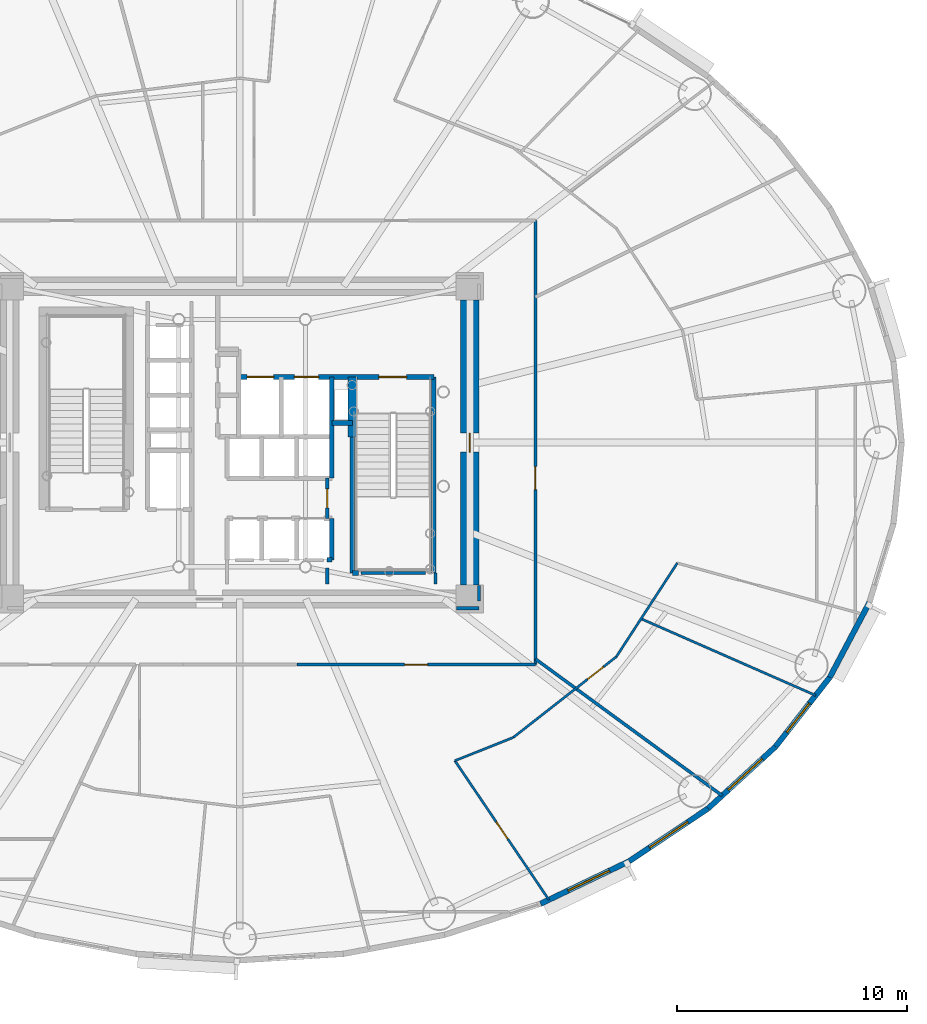
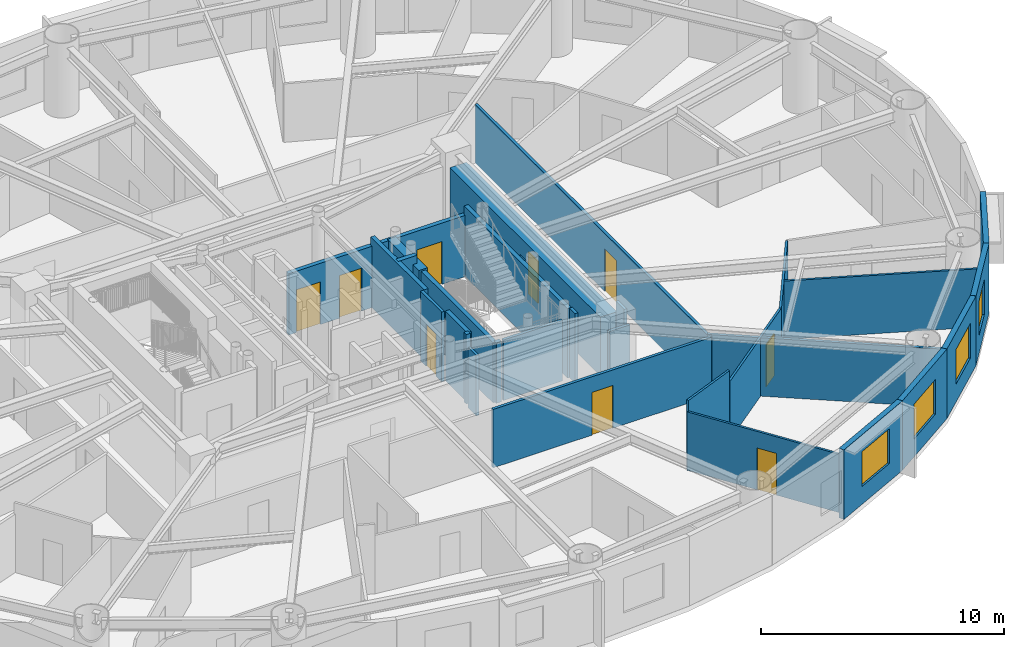
# One storey, part 9 of 16: 29 walls, 9 doors, 4 windows, 13 openings.
"""IFC4 building model written with IfcOpenShell, lengths in metres."""

from ifc_helpers import new_model, si_unit, direction, frame, frame_2d, origin, origin_2d, place, context, subcontext, project, spatial, rectangle, extrude, source, transform, mapped, material, layer, layer_set, type_object, element, fill, save


model = new_model("IFC4")

# Units and contexts
model_context = context("Model", 3, precision=1e-05, world=origin(), true_north=direction((0.0, 1.0)))
body_context = subcontext(model_context, "Body", "Model", "MODEL_VIEW")
ifc_project = project(units=[si_unit("LENGTHUNIT", "METRE"), si_unit("AREAUNIT", "SQUARE_METRE"), si_unit("VOLUMEUNIT", "CUBIC_METRE"), si_unit("PLANEANGLEUNIT", "RADIAN"), si_unit("MASSUNIT", "GRAM", prefix="KILO")], contexts=[model_context])

# Site, building, storey
site_placement = place(None, origin())
site = spatial("IfcSite", under=ifc_project, at=site_placement, CompositionType="ELEMENT")
building_placement = place(site_placement, origin())
building = spatial("IfcBuilding", under=site, at=building_placement, Name="Linh Dai School and Residence Tower", CompositionType="ELEMENT")
storey_placement = place(building_placement, frame((0.0, 0.0, 138.449951171875)))
storey = spatial("IfcBuildingStorey", under=building, at=storey_placement, Name="L33", CompositionType="ELEMENT", Elevation=138.449951171875)

# Wall, opening, window
ifc_material_1 = material(Name="Precast Concrete B45 (C35/45)", Category="concrete")
ifc_layer_1 = layer(ifc_material_1, 0.239990234375)
ifc_layer_set_1 = layer_set([ifc_layer_1], Name="Precast Concrete B45 (C35/45)")
wall_type_1 = type_object("IfcWallType", Name="EW-TC-240", PredefinedType="SOLIDWALL", material=ifc_layer_set_1)
wall_1_placement = place(storey_placement, frame((52.92529296875, 8.800537109375, 0.0), z_axis=(0.0, 0.0, 1.0), x_axis=(-0.901589935876, -0.432591709962, 0.0)))
wall_1 = element("IfcWall", 1, at=wall_1_placement, inside=storey, type_object=wall_type_1, Name="L33 Terracotta Exterior Wall 34", PredefinedType="SOLIDWALL", context=body_context, shape_type="SweptSolid", body=[
    extrude(rectangle(XDim=4.271728515625, YDim=0.239990234375, at=frame_2d((2.1357421875, 0.0))), origin(), (0.0, 0.0, 1.0), 3.5),
])
opening_1_placement = place(wall_1_placement, frame((0.94873046875, 0.0, 0.89990234375)))
opening_1 = element("IfcOpeningElement", 2, at=opening_1_placement, cuts=wall_1, Name="Opening W1", PredefinedType="OPENING", context=body_context, shape_type="SweptSolid", body=[
    extrude(rectangle(XDim=2.0, YDim=1.75, at=origin_2d()), frame((1.0, 0.1298828125, 0.875), z_axis=(0.0, -1.0, 0.0), x_axis=(1.0, 0.0, 0.0)), (0.0, 0.0, 1.0), 0.260009765625),
])
ifc_material_2 = material(Name="Double Low-E Insulated Glazing", Category="glass")
window_type_1 = type_object("IfcWindowType", Name="WN-RES-2000x1750", PartitioningType="DOUBLE_PANEL_VERTICAL", PredefinedType="WINDOW", material=ifc_material_2)
shared_shape_1 = source(origin(), body_context, "Body", "SweptSolid", [
    extrude(rectangle(XDim=2.0, YDim=1.75, at=origin_2d()), frame((1.0, 0.030029296875, 0.875), z_axis=(0.0, -1.0, 0.0), x_axis=(1.0, 0.0, 0.0)), (0.0, 0.0, 1.0), 0.06005859375),
])
window_1_placement = place(opening_1_placement, origin())
window_1 = element("IfcWindow", 3, at=window_1_placement, inside=storey, type_object=window_type_1, Name="L33 Exterior Window 34.1", OverallHeight=1.75, OverallWidth=2.0, PartitioningType="DOUBLE_PANEL_VERTICAL", PredefinedType="WINDOW", context=body_context, shape_type="MappedRepresentation", body=[
    mapped(shared_shape_1, transform((0.0, 0.0, 0.0), x_axis=(1.0, 0.0, 0.0), y_axis=(0.0, 1.0, 0.0), z_axis=(0.0, 0.0, 1.0), scale=1.0)),
])
fill(opening_1, window_1)

wall_2_placement = place(storey_placement, frame((56.3583984375, 11.0966796875, 0.0), z_axis=(0.0, 0.0, 1.0), x_axis=(-0.831221811447, -0.555940914284, 0.0)))
wall_2 = element("IfcWall", 4, at=wall_2_placement, inside=storey, type_object=wall_type_1, Name="L33 Terracotta Exterior Wall 35", PredefinedType="SOLIDWALL", context=body_context, shape_type="SweptSolid", body=[
    extrude(rectangle(XDim=4.130126953125, YDim=0.239990234375, at=frame_2d((2.06494140625, 0.0))), origin(), (0.0, 0.0, 1.0), 3.5),
])
opening_2_placement = place(wall_2_placement, frame((1.065185546875, 0.0, 0.89990234375)))
opening_2 = element("IfcOpeningElement", 5, at=opening_2_placement, cuts=wall_2, Name="Opening W1", PredefinedType="OPENING", context=body_context, shape_type="SweptSolid", body=[
    extrude(rectangle(XDim=2.0, YDim=1.75, at=origin_2d()), frame((1.0, 0.1298828125, 0.875), z_axis=(0.0, -1.0, 0.0), x_axis=(1.0, 0.0, 0.0)), (0.0, 0.0, 1.0), 0.260009765625),
])
window_2_placement = place(opening_2_placement, origin())
window_2 = element("IfcWindow", 6, at=window_2_placement, inside=storey, type_object=window_type_1, Name="L33 Exterior Window 35.1", OverallHeight=1.75, OverallWidth=2.0, PartitioningType="DOUBLE_PANEL_VERTICAL", PredefinedType="WINDOW", context=body_context, shape_type="MappedRepresentation", body=[
    mapped(shared_shape_1, transform((0.0, 0.0, 0.0), x_axis=(1.0, 0.0, 0.0), y_axis=(0.0, 1.0, 0.0), z_axis=(0.0, 0.0, 1.0), scale=1.0)),
])
fill(opening_2, window_2)

wall_3_placement = place(storey_placement, frame((59.2890625, 13.783447265625, 0.0), z_axis=(0.0, 0.0, 1.0), x_axis=(-0.737113356241, -0.675769117414, 0.0)))
wall_3 = element("IfcWall", 7, at=wall_3_placement, inside=storey, type_object=wall_type_1, Name="L33 Terracotta Exterior Wall 36", PredefinedType="SOLIDWALL", context=body_context, shape_type="SweptSolid", body=[
    extrude(rectangle(XDim=3.975830078125, YDim=0.239990234375, at=frame_2d((1.98779296875, 0.0))), origin(), (0.0, 0.0, 1.0), 3.5),
])
opening_3_placement = place(wall_3_placement, frame((0.78271484375, 0.0, 0.89990234375)))
opening_3 = element("IfcOpeningElement", 8, at=opening_3_placement, cuts=wall_3, Name="Opening W1", PredefinedType="OPENING", context=body_context, shape_type="SweptSolid", body=[
    extrude(rectangle(XDim=2.0, YDim=1.75, at=origin_2d()), frame((1.0, 0.1298828125, 0.875), z_axis=(0.0, -1.0, 0.0), x_axis=(1.0, 0.0, 0.0)), (0.0, 0.0, 1.0), 0.260009765625),
])
window_3_placement = place(opening_3_placement, origin())
window_3 = element("IfcWindow", 9, at=window_3_placement, inside=storey, type_object=window_type_1, Name="L33 Exterior Window 36.1", OverallHeight=1.75, OverallWidth=2.0, PartitioningType="DOUBLE_PANEL_VERTICAL", PredefinedType="WINDOW", context=body_context, shape_type="MappedRepresentation", body=[
    mapped(shared_shape_1, transform((0.0, 0.0, 0.0), x_axis=(1.0, 0.0, 0.0), y_axis=(0.0, 1.0, 0.0), z_axis=(0.0, 0.0, 1.0), scale=1.0)),
])
fill(opening_3, window_3)

wall_4_placement = place(storey_placement, frame((61.645263671875, 16.79443359375, 0.0), z_axis=(0.0, 0.0, 1.0), x_axis=(-0.616272103517, -0.787533297345, 0.0)))
wall_4 = element("IfcWall", 10, at=wall_4_placement, inside=storey, type_object=wall_type_1, Name="L33 Terracotta Exterior Wall 37", PredefinedType="SOLIDWALL", context=body_context, shape_type="SweptSolid", body=[
    extrude(rectangle(XDim=3.8232421875, YDim=0.239990234375, at=frame_2d((1.91162109375, 0.0))), origin(), (0.0, 0.0, 1.0), 3.5),
])
opening_4_placement = place(wall_4_placement, frame((1.430419921875, 0.0, 0.89990234375)))
opening_4 = element("IfcOpeningElement", 11, at=opening_4_placement, cuts=wall_4, Name="Opening W2", PredefinedType="OPENING", context=body_context, shape_type="SweptSolid", body=[
    extrude(rectangle(XDim=1.60009765625, YDim=1.75, at=origin_2d()), frame((0.800048828125, 0.1298828125, 0.875), z_axis=(0.0, -1.0, 0.0), x_axis=(1.0, 0.0, 0.0)), (0.0, 0.0, 1.0), 0.260009765625),
])
window_type_2 = type_object("IfcWindowType", Name="WN-RES-1600x1750", PartitioningType="DOUBLE_PANEL_VERTICAL", PredefinedType="WINDOW", material=ifc_material_2)
shared_shape_2 = source(origin(), body_context, "Body", "SweptSolid", [
    extrude(rectangle(XDim=1.60009765625, YDim=1.75, at=origin_2d()), frame((0.800048828125, 0.030029296875, 0.875), z_axis=(0.0, -1.0, 0.0), x_axis=(1.0, 0.0, 0.0)), (0.0, 0.0, 1.0), 0.06005859375),
])
window_4_placement = place(opening_4_placement, origin())
window_4 = element("IfcWindow", 12, at=window_4_placement, inside=storey, type_object=window_type_2, Name="L33 Exterior Window 37.1", OverallHeight=1.75, OverallWidth=1.60009765625, PartitioningType="DOUBLE_PANEL_VERTICAL", PredefinedType="WINDOW", context=body_context, shape_type="MappedRepresentation", body=[
    mapped(shared_shape_2, transform((0.0, 0.0, 0.0), x_axis=(1.0, 0.0, 0.0), y_axis=(0.0, 1.0, 0.0), z_axis=(0.0, 0.0, 1.0), scale=1.0)),
])
fill(opening_4, window_4)

# Wall
wall_5_placement = place(storey_placement, frame((63.3701171875, 20.054931640625, 0.0), z_axis=(0.0, 0.0, 1.0), x_axis=(-0.467614004126, -0.883932770716, 0.0)))
element("IfcWall", 13, at=wall_5_placement, inside=storey, type_object=wall_type_1, Name="L33 Terracotta Exterior Wall 38", PredefinedType="SOLIDWALL", context=body_context, shape_type="SweptSolid", body=[
    extrude(rectangle(XDim=3.688720703125, YDim=0.239990234375, at=frame_2d((1.84423828125, 0.0))), origin(), (0.0, 0.0, 1.0), 3.5),
])

# Wall, opening, door
ifc_material_3 = material(Name="Autoclaved Aerated Concrete Blockwork", Category="masonry")
ifc_layer_2 = layer(ifc_material_3, 0.135009765625)
ifc_layer_set_2 = layer_set([ifc_layer_2], Name="Autoclaved Aerated Concrete Blockwork")
wall_type_2 = type_object("IfcWallType", Name="IW-CORR-135-EI90", PredefinedType="PARTITIONING", material=ifc_layer_set_2)
wall_6_placement = place(storey_placement, frame((38.47705078125, 17.35009765625, 0.0), z_axis=(0.0, 0.0, 1.0), x_axis=(1.0, 0.0, 0.0)))
wall_6 = element("IfcWall", 14, at=wall_6_placement, inside=storey, type_object=wall_type_2, Name="L33 Interior Partition Wall 057", PredefinedType="PARTITIONING", context=body_context, shape_type="SweptSolid", body=[
    extrude(rectangle(XDim=10.373046875, YDim=0.135009765625, at=frame_2d((5.1865234375, 0.0))), origin(), (0.0, 0.0, 1.0), 2.93505859375),
])
opening_5_placement = place(wall_6_placement, frame((4.6865234375, 0.0, 0.0)))
opening_5 = element("IfcOpeningElement", 15, at=opening_5_placement, cuts=wall_6, Name="Opening D03", PredefinedType="OPENING", context=body_context, shape_type="SweptSolid", body=[
    extrude(rectangle(XDim=1.0, YDim=2.14990234375, at=origin_2d()), frame((0.5, 0.07763671875, 1.074951171875), z_axis=(0.0, -1.0, 0.0), x_axis=(1.0, 0.0, 0.0)), (0.0, 0.0, 1.0), 0.155029296875),
])
ifc_material_4 = material(Name="Fire-Rated Solid Timber Entrance Door", Category="wood")
door_type_1 = type_object("IfcDoorType", Name="DR-FLAT-1000x2150-FD60S", OperationType="NOTDEFINED", PredefinedType="DOOR", material=ifc_material_4)
shared_shape_3 = source(origin(), body_context, "Body", "SweptSolid", [
    extrude(rectangle(XDim=1.0, YDim=2.14990234375, at=origin_2d()), frame((0.5, 0.02490234375, 1.074951171875), z_axis=(0.0, -1.0, 0.0), x_axis=(1.0, 0.0, 0.0)), (0.0, 0.0, 1.0), 0.050048828125),
])
door_1_placement = place(opening_5_placement, origin())
door_1 = element("IfcDoor", 16, at=door_1_placement, inside=storey, type_object=door_type_1, Name="L33 U3302 Apartment Entrance Door", OperationType="SINGLE_SWING_RIGHT", OverallHeight=2.14990234375, OverallWidth=1.0, PredefinedType="DOOR", context=body_context, shape_type="MappedRepresentation", body=[
    mapped(shared_shape_3, transform((0.0, 0.0, 0.0), x_axis=(1.0, 0.0, 0.0), y_axis=(0.0, 1.0, 0.0), z_axis=(0.0, 0.0, 1.0), scale=1.0)),
])
fill(opening_5, door_1)

wall_7_placement = place(storey_placement, frame((39.800048828125, 23.699951171875, 0.0), z_axis=(0.0, 0.0, 1.0), x_axis=(0.0, 1.0, 0.0)))
wall_7 = element("IfcWall", 17, at=wall_7_placement, inside=storey, type_object=wall_type_2, Name="L33 Interior Partition Wall 061", PredefinedType="PARTITIONING", context=body_context, shape_type="SweptSolid", body=[
    extrude(rectangle(XDim=1.75, YDim=0.135009765625, at=frame_2d((0.875, 0.0))), origin(), (0.0, 0.0, 1.0), 3.5),
])
opening_6_placement = place(wall_7_placement, frame((0.465087890625, 0.0, 0.0)))
opening_6 = element("IfcOpeningElement", 18, at=opening_6_placement, cuts=wall_7, Name="Opening D06", PredefinedType="OPENING", context=body_context, shape_type="SweptSolid", body=[
    extrude(rectangle(XDim=0.820068359375, YDim=2.10009765625, at=origin_2d()), frame((0.41015625, 0.07763671875, 1.050048828125), z_axis=(0.0, -1.0, 0.0), x_axis=(1.0, 0.0, 0.0)), (0.0, 0.0, 1.0), 0.155029296875),
])
ifc_material_5 = material(Name="Moisture-Resistant Timber Bathroom Door", Category="wood")
door_type_2 = type_object("IfcDoorType", Name="DR-WET-820x2100", OperationType="NOTDEFINED", PredefinedType="DOOR", material=ifc_material_5)
shared_shape_4 = source(origin(), body_context, "Body", "SweptSolid", [
    extrude(rectangle(XDim=0.820068359375, YDim=2.10009765625, at=origin_2d()), frame((0.41015625, 0.02490234375, 1.050048828125), z_axis=(0.0, -1.0, 0.0), x_axis=(1.0, 0.0, 0.0)), (0.0, 0.0, 1.0), 0.050048828125),
])
door_2_placement = place(opening_6_placement, origin())
door_2 = element("IfcDoor", 19, at=door_2_placement, inside=storey, type_object=door_type_2, Name="L33 Core Housekeeping Store Door", OperationType="SINGLE_SWING_RIGHT", OverallHeight=2.10009765625, OverallWidth=0.820068359375, PredefinedType="DOOR", context=body_context, shape_type="MappedRepresentation", body=[
    mapped(shared_shape_4, transform((0.0, 0.0, 0.0), x_axis=(1.0, 0.0, 0.0), y_axis=(0.0, 1.0, 0.0), z_axis=(0.0, 0.0, 1.0), scale=1.0)),
])
fill(opening_6, door_2)

wall_8_placement = place(storey_placement, frame((48.85009765625, 17.35009765625, 0.0), z_axis=(0.0, 0.0, 1.0), x_axis=(0.0, 1.0, 0.0)))
wall_8 = element("IfcWall", 20, at=wall_8_placement, inside=storey, type_object=wall_type_2, Name="L33 Interior Partition Wall 077", PredefinedType="PARTITIONING", context=body_context, shape_type="SweptSolid", body=[
    extrude(rectangle(XDim=19.2998046875, YDim=0.135009765625, at=frame_2d((9.64990234375, 0.0))), origin(), (0.0, 0.0, 1.0), 2.93505859375),
])
opening_7_placement = place(wall_8_placement, frame((7.609130859375, 0.0, 0.0)))
opening_7 = element("IfcOpeningElement", 21, at=opening_7_placement, cuts=wall_8, Name="Opening D03", PredefinedType="OPENING", context=body_context, shape_type="SweptSolid", body=[
    extrude(rectangle(XDim=1.0, YDim=2.14990234375, at=origin_2d()), frame((0.5, 0.07763671875, 1.074951171875), z_axis=(0.0, -1.0, 0.0), x_axis=(1.0, 0.0, 0.0)), (0.0, 0.0, 1.0), 0.155029296875),
])
door_3_placement = place(opening_7_placement, origin())
door_3 = element("IfcDoor", 22, at=door_3_placement, inside=storey, type_object=door_type_1, Name="L33 U3303 Apartment Entrance Door", OperationType="SINGLE_SWING_RIGHT", OverallHeight=2.14990234375, OverallWidth=1.0, PredefinedType="DOOR", context=body_context, shape_type="MappedRepresentation", body=[
    mapped(shared_shape_3, transform((0.0, 0.0, 0.0), x_axis=(1.0, 0.0, 0.0), y_axis=(0.0, 1.0, 0.0), z_axis=(0.0, 0.0, 1.0), scale=1.0)),
])
fill(opening_7, door_3)

# Walls
wall_9_placement = place(storey_placement, frame((48.85009765625, 17.59521484375, 0.0), z_axis=(0.0, 0.0, 1.0), x_axis=(0.806958414, -0.590608261096, 0.0)))
element("IfcWall", 23, at=wall_9_placement, inside=storey, type_object=wall_type_2, Name="L33 Interior Partition Wall 078", PredefinedType="PARTITIONING", context=body_context, shape_type="SweptSolid", body=[
    extrude(rectangle(XDim=10.0634765625, YDim=0.135009765625, at=frame_2d((5.03173828125, 0.0))), origin(), (0.0, 0.0, 1.0), 2.93505859375),
])
wall_10_placement = place(storey_placement, frame((44.080078125, 21.330078125, 0.0), z_axis=(0.0, 0.0, 1.0), x_axis=(-1.0, 0.0, 0.0)))
element("IfcWall", 24, at=wall_10_placement, inside=storey, type_object=wall_type_2, Name="L33 Interior Partition Wall 090", PredefinedType="PARTITIONING", context=body_context, shape_type="SweptSolid", body=[
    extrude(rectangle(XDim=2.820068359375, YDim=0.135009765625, at=frame_2d((1.41015625, 0.0))), origin(), (0.0, 0.0, 1.0), 3.03515625),
])
wall_11_placement = place(storey_placement, frame((39.800048828125, 20.860107421875, 0.0), z_axis=(0.0, 0.0, 1.0), x_axis=(0.0, 1.0, 0.0)))
element("IfcWall", 25, at=wall_11_placement, inside=storey, type_object=wall_type_2, Name="L33 Interior Partition Wall 095", PredefinedType="PARTITIONING", context=body_context, shape_type="SweptSolid", body=[
    extrude(rectangle(XDim=0.679931640625, YDim=0.135009765625, at=frame_2d((0.33984375, 0.0))), origin(), (0.0, 0.0, 1.0), 3.03515625),
])
wall_12_placement = place(storey_placement, frame((44.5, 20.860107421875, 0.0), z_axis=(0.0, 0.0, 1.0), x_axis=(0.0, 1.0, 0.0)))
element("IfcWall", 26, at=wall_12_placement, inside=storey, type_object=wall_type_2, Name="L33 Interior Partition Wall 097", PredefinedType="PARTITIONING", context=body_context, shape_type="SweptSolid", body=[
    extrude(rectangle(XDim=0.4599609375, YDim=0.135009765625, at=frame_2d((0.22998046875, 0.0))), origin(), (0.0, 0.0, 1.0), 3.5),
])
wall_13_placement = place(storey_placement, frame((45.409912109375, 19.800048828125, 0.0), z_axis=(0.0, 0.0, 1.0), x_axis=(1.0, 0.0, 0.0)))
element("IfcWall", 27, at=wall_13_placement, inside=storey, type_object=wall_type_2, Name="L33 Interior Partition Wall 107", PredefinedType="PARTITIONING", context=body_context, shape_type="SweptSolid", body=[
    extrude(rectangle(XDim=0.989990234375, YDim=0.135009765625, at=frame_2d((0.4951171875, 0.0))), origin(), (0.0, 0.0, 1.0), 2.93505859375),
])
wall_14_placement = place(storey_placement, frame((46.39990234375, 20.107421875, 0.0), z_axis=(0.0, 0.0, 1.0), x_axis=(0.0, 1.0, 0.0)))
element("IfcWall", 28, at=wall_14_placement, inside=storey, type_object=wall_type_2, Name="L33 Interior Partition Wall 108", PredefinedType="PARTITIONING", context=body_context, shape_type="SweptSolid", body=[
    extrude(rectangle(XDim=0.6826171875, YDim=0.135009765625, at=frame_2d((0.34130859375, 0.0))), origin(), (0.0, 0.0, 1.0), 3.5),
])

# Wall, openings, doors
ifc_material_6 = material(Name="Concrete B45 (C35/45)", Category="concrete")
ifc_layer_3 = layer(ifc_material_6, 0.199951171875)
ifc_layer_set_3 = layer_set([ifc_layer_3], Name="Concrete B45 (C35/45)")
wall_type_3 = type_object("IfcWallType", Name="IW-SHAFT-200-EI120", PredefinedType="PARTITIONING", material=ifc_layer_set_3)
wall_15_placement = place(storey_placement, frame((35.949951171875, 29.85009765625, 0.0), z_axis=(0.0, 0.0, 1.0), x_axis=(1.0, 0.0, 0.0)))
wall_15 = element("IfcWall", 29, at=wall_15_placement, inside=storey, type_object=wall_type_3, Name="L33 Interior Partition Wall 048", PredefinedType="PARTITIONING", context=body_context, shape_type="SweptSolid", body=[
    extrude(rectangle(XDim=8.489990234375, YDim=0.199951171875, at=frame_2d((4.2451171875, 0.0))), origin(), (0.0, 0.0, 1.0), 3.0849609375),
])
opening_8_placement = place(wall_15_placement, frame((6.10009765625, 0.0, 0.0)))
opening_8 = element("IfcOpeningElement", 30, at=opening_8_placement, cuts=wall_15, Name="Opening D01", PredefinedType="OPENING", context=body_context, shape_type="SweptSolid", body=[
    extrude(rectangle(XDim=1.199951171875, YDim=2.14990234375, at=origin_2d()), frame((0.60009765625, 0.10986328125, 1.074951171875), z_axis=(0.0, -1.0, 0.0), x_axis=(1.0, 0.0, 0.0)), (0.0, 0.0, 1.0), 0.219970703125),
])
opening_9_placement = place(wall_15_placement, frame((0.3701171875, 0.0, 0.0)))
opening_9 = element("IfcOpeningElement", 31, at=opening_9_placement, cuts=wall_15, Name="Opening LD-FF1", PredefinedType="OPENING", context=body_context, shape_type="SweptSolid", body=[
    extrude(rectangle(XDim=1.14990234375, YDim=2.14990234375, at=origin_2d()), frame((0.574951171875, 0.10986328125, 1.074951171875), z_axis=(0.0, -1.0, 0.0), x_axis=(1.0, 0.0, 0.0)), (0.0, 0.0, 1.0), 0.219970703125),
])
opening_10_placement = place(wall_15_placement, frame((2.425048828125, 0.0, 0.0)))
opening_10 = element("IfcOpeningElement", 32, at=opening_10_placement, cuts=wall_15, Name="Opening LD-SV1", PredefinedType="OPENING", context=body_context, shape_type="SweptSolid", body=[
    extrude(rectangle(XDim=1.050048828125, YDim=2.14990234375, at=origin_2d()), frame((0.52490234375, 0.10986328125, 1.074951171875), z_axis=(0.0, -1.0, 0.0), x_axis=(1.0, 0.0, 0.0)), (0.0, 0.0, 1.0), 0.219970703125),
])
ifc_material_7 = material(Name="Fire-Rated Steel Door Leaf", Category="steel")
door_type_3 = type_object("IfcDoorType", Name="DR-STAIR-1200x2150-FD90S", OperationType="NOTDEFINED", PredefinedType="DOOR", material=ifc_material_7)
shared_shape_5 = source(origin(), body_context, "Body", "SweptSolid", [
    extrude(rectangle(XDim=1.199951171875, YDim=2.14990234375, at=origin_2d()), frame((0.60009765625, 0.02490234375, 1.074951171875), z_axis=(0.0, -1.0, 0.0), x_axis=(1.0, 0.0, 0.0)), (0.0, 0.0, 1.0), 0.050048828125),
])
door_4_placement = place(opening_8_placement, origin())
door_4 = element("IfcDoor", 33, at=door_4_placement, inside=storey, type_object=door_type_3, Name="L33 Core Smokeproof Exit Stair ST2 Door", OperationType="SINGLE_SWING_RIGHT", OverallHeight=2.14990234375, OverallWidth=1.199951171875, PredefinedType="DOOR", context=body_context, shape_type="MappedRepresentation", body=[
    mapped(shared_shape_5, transform((0.0, 0.0, 0.0), x_axis=(1.0, 0.0, 0.0), y_axis=(0.0, 1.0, 0.0), z_axis=(0.0, 0.0, 1.0), scale=1.0)),
])
fill(opening_8, door_4)
ifc_material_8 = material(Name="Fire-Rated Stainless Steel Firefighting Lift Door", Category="steel")
door_type_4 = type_object("IfcDoorType", Name="DR-LD-FF-1150x2150-FD120", OperationType="DOUBLE_DOOR_SLIDING", PredefinedType="USERDEFINED", material=ifc_material_8)
shared_shape_6 = source(origin(), body_context, "Body", "SweptSolid", [
    extrude(rectangle(XDim=1.14990234375, YDim=2.14990234375, at=origin_2d()), frame((0.574951171875, 0.02490234375, 1.074951171875), z_axis=(0.0, -1.0, 0.0), x_axis=(1.0, 0.0, 0.0)), (0.0, 0.0, 1.0), 0.050048828125),
])
door_5_placement = place(opening_9_placement, origin())
door_5 = element("IfcDoor", 34, at=door_5_placement, inside=storey, type_object=door_type_4, Name="L33 Lift FF1 Sliding Landing Door", ObjectType="LANDING DOOR", OperationType="DOUBLE_DOOR_SLIDING", OverallHeight=2.14990234375, OverallWidth=1.14990234375, PredefinedType="USERDEFINED", context=body_context, shape_type="MappedRepresentation", body=[
    mapped(shared_shape_6, transform((0.0, 0.0, 0.0), x_axis=(1.0, 0.0, 0.0), y_axis=(0.0, 1.0, 0.0), z_axis=(0.0, 0.0, 1.0), scale=1.0)),
])
fill(opening_9, door_5)
ifc_material_9 = material(Name="Brushed Stainless Steel Lift Landing Door", Category="steel")
door_type_5 = type_object("IfcDoorType", Name="DR-LD-PASS-1050x2150", OperationType="DOUBLE_DOOR_SLIDING", PredefinedType="USERDEFINED", material=ifc_material_9)
shared_shape_7 = source(origin(), body_context, "Body", "SweptSolid", [
    extrude(rectangle(XDim=1.050048828125, YDim=2.14990234375, at=origin_2d()), frame((0.52490234375, 0.02490234375, 1.074951171875), z_axis=(0.0, -1.0, 0.0), x_axis=(1.0, 0.0, 0.0)), (0.0, 0.0, 1.0), 0.050048828125),
])
door_6_placement = place(opening_10_placement, origin())
door_6 = element("IfcDoor", 35, at=door_6_placement, inside=storey, type_object=door_type_5, Name="L33 Lift SV1 Sliding Landing Door", ObjectType="LANDING DOOR", OperationType="DOUBLE_DOOR_SLIDING", OverallHeight=2.14990234375, OverallWidth=1.050048828125, PredefinedType="USERDEFINED", context=body_context, shape_type="MappedRepresentation", body=[
    mapped(shared_shape_7, transform((0.0, 0.0, 0.0), x_axis=(1.0, 0.0, 0.0), y_axis=(0.0, 1.0, 0.0), z_axis=(0.0, 0.0, 1.0), scale=1.0)),
])
fill(opening_10, door_6)

# Walls
wall_16_placement = place(storey_placement, frame((39.800048828125, 21.89990234375, 0.0), z_axis=(0.0, 0.0, 1.0), x_axis=(1.0, 0.0, 0.0)))
element("IfcWall", 36, at=wall_16_placement, inside=storey, type_object=wall_type_3, Name="L33 Interior Partition Wall 060", PredefinedType="PARTITIONING", context=body_context, shape_type="SweptSolid", body=[
    extrude(rectangle(XDim=0.199951171875, YDim=0.199951171875, at=frame_2d((0.10009765625, 0.0))), origin(), (0.0, 0.0, 1.0), 3.5),
])
wall_17_placement = place(storey_placement, frame((40.0, 21.89990234375, 0.0), z_axis=(0.0, 0.0, 1.0), x_axis=(0.0, 1.0, 0.0)))
element("IfcWall", 37, at=wall_17_placement, inside=storey, type_object=wall_type_3, Name="L33 Interior Partition Wall 063", PredefinedType="PARTITIONING", context=body_context, shape_type="SweptSolid", body=[
    extrude(rectangle(XDim=1.800048828125, YDim=0.199951171875, at=frame_2d((0.89990234375, 0.0))), origin(), (0.0, 0.0, 1.0), 3.5),
])
wall_18_placement = place(storey_placement, frame((40.0, 25.449951171875, 0.0), z_axis=(0.0, 0.0, 1.0), x_axis=(0.0, 1.0, 0.0)))
element("IfcWall", 38, at=wall_18_placement, inside=storey, type_object=wall_type_3, Name="L33 Interior Partition Wall 064", PredefinedType="PARTITIONING", context=body_context, shape_type="SweptSolid", body=[
    extrude(rectangle(XDim=4.400146484375, YDim=0.199951171875, at=frame_2d((2.2001953125, 0.0))), origin(), (0.0, 0.0, 1.0), 3.5),
])
wall_19_placement = place(storey_placement, frame((40.0, 27.85009765625, 0.0), z_axis=(0.0, 0.0, 1.0), x_axis=(1.0, 0.0, 0.0)))
element("IfcWall", 39, at=wall_19_placement, inside=storey, type_object=wall_type_3, Name="L33 Interior Partition Wall 065", PredefinedType="PARTITIONING", context=body_context, shape_type="SweptSolid", body=[
    extrude(rectangle(XDim=0.89990234375, YDim=0.199951171875, at=frame_2d((0.449951171875, 0.0))), origin(), (0.0, 0.0, 1.0), 3.5),
])
wall_20_placement = place(storey_placement, frame((40.89990234375, 21.330078125, 0.0), z_axis=(0.0, 0.0, 1.0), x_axis=(0.0, 1.0, 0.0)))
element("IfcWall", 40, at=wall_20_placement, inside=storey, type_object=wall_type_3, Name="L33 Interior Partition Wall 066", PredefinedType="PARTITIONING", context=body_context, shape_type="SweptSolid", body=[
    extrude(rectangle(XDim=5.909912109375, YDim=0.199951171875, at=frame_2d((2.955078125, 0.0))), origin(), (0.0, 0.0, 1.0), 3.03515625),
])
wall_21_placement = place(storey_placement, frame((40.89990234375, 21.330078125, 0.0), z_axis=(0.0, 0.0, 1.0), x_axis=(1.0, 0.0, 0.0)))
element("IfcWall", 41, at=wall_21_placement, inside=storey, type_object=wall_type_3, Name="L33 Interior Partition Wall 067", PredefinedType="PARTITIONING", context=body_context, shape_type="SweptSolid", body=[
    extrude(rectangle(XDim=0.25, YDim=0.199951171875, at=frame_2d((0.125, 0.0))), origin(), (0.0, 0.0, 1.0), 3.03515625),
])
wall_22_placement = place(storey_placement, frame((44.43994140625, 21.330078125, 0.0), z_axis=(0.0, 0.0, 1.0), x_axis=(0.0, 1.0, 0.0)))
element("IfcWall", 42, at=wall_22_placement, inside=storey, type_object=wall_type_3, Name="L33 Interior Partition Wall 071", PredefinedType="PARTITIONING", context=body_context, shape_type="SweptSolid", body=[
    extrude(rectangle(XDim=8.52001953125, YDim=0.199951171875, at=frame_2d((4.260009765625, 0.0))), origin(), (0.0, 0.0, 1.0), 3.5),
])
ifc_material_10 = material(Name="Gypsum Plasterboard Acoustic Stud Partition", Category="masonry")
ifc_layer_4 = layer(ifc_material_10, 0.10009765625)
ifc_layer_set_4 = layer_set([ifc_layer_4], Name="Gypsum Plasterboard Acoustic Stud Partition")
wall_type_4 = type_object("IfcWallType", Name="IW-UNIT-100", PredefinedType="PARTITIONING", material=ifc_layer_set_4)
wall_23_placement = place(storey_placement, frame((45.349609375, 13.17041015625, 0.0), z_axis=(0.0, 0.0, 1.0), x_axis=(0.928802486491, 0.370575149044, 0.0)))
element("IfcWall", 43, at=wall_23_placement, inside=storey, type_object=wall_type_4, Name="L33 Interior Partition Wall 072", PredefinedType="PARTITIONING", context=body_context, shape_type="SweptSolid", body=[
    extrude(rectangle(XDim=2.736083984375, YDim=0.10009765625, at=frame_2d((1.3681640625, 0.0))), origin(), (0.0, 0.0, 1.0), 3.5),
])

# Wall, opening, door
wall_24_placement = place(storey_placement, frame((45.349609375, 13.17041015625, 0.0), z_axis=(0.0, 0.0, 1.0), x_axis=(0.560082631059, -0.828436748573, 0.0)))
wall_24 = element("IfcWall", 44, at=wall_24_placement, inside=storey, type_object=wall_type_4, Name="L33 Interior Partition Wall 073", PredefinedType="PARTITIONING", context=body_context, shape_type="SweptSolid", body=[
    extrude(rectangle(XDim=7.301025390625, YDim=0.10009765625, at=frame_2d((3.650390625, 0.0))), origin(), (0.0, 0.0, 1.0), 2.93505859375),
])
opening_11_placement = place(wall_24_placement, frame((3.200439453125, 0.0, 0.0)))
opening_11 = element("IfcOpeningElement", 45, at=opening_11_placement, cuts=wall_24, Name="Opening D05", PredefinedType="OPENING", context=body_context, shape_type="SweptSolid", body=[
    extrude(rectangle(XDim=0.89990234375, YDim=2.10009765625, at=origin_2d()), frame((0.449951171875, 0.06005859375, 1.050048828125), z_axis=(0.0, -1.0, 0.0), x_axis=(1.0, 0.0, 0.0)), (0.0, 0.0, 1.0), 0.1201171875),
])
ifc_material_11 = material(Name="Engineered Timber Internal Door", Category="wood")
door_type_6 = type_object("IfcDoorType", Name="DR-INT-900x2100", OperationType="NOTDEFINED", PredefinedType="DOOR", material=ifc_material_11)
shared_shape_8 = source(origin(), body_context, "Body", "SweptSolid", [
    extrude(rectangle(XDim=0.89990234375, YDim=2.10009765625, at=origin_2d()), frame((0.449951171875, 0.02490234375, 1.050048828125), z_axis=(0.0, -1.0, 0.0), x_axis=(1.0, 0.0, 0.0)), (0.0, 0.0, 1.0), 0.050048828125),
])
door_7_placement = place(opening_11_placement, origin())
door_7 = element("IfcDoor", 46, at=door_7_placement, inside=storey, type_object=door_type_6, Name="L33 Apartment U3302 Principal Bedroom 3 Door", OperationType="SINGLE_SWING_LEFT", OverallHeight=2.10009765625, OverallWidth=0.89990234375, PredefinedType="DOOR", context=body_context, shape_type="MappedRepresentation", body=[
    mapped(shared_shape_8, transform((0.0, 0.0, 0.0), x_axis=(1.0, 0.0, 0.0), y_axis=(0.0, 1.0, 0.0), z_axis=(0.0, 0.0, 1.0), scale=1.0)),
])
fill(opening_11, door_7)

wall_25_placement = place(storey_placement, frame((47.890869140625, 14.184326171875, 0.0), z_axis=(0.0, 0.0, 1.0), x_axis=(0.787333679705, 0.616527109544, 0.0)))
wall_25 = element("IfcWall", 47, at=wall_25_placement, inside=storey, type_object=wall_type_4, Name="L33 Interior Partition Wall 074", PredefinedType="PARTITIONING", context=body_context, shape_type="SweptSolid", body=[
    extrude(rectangle(XDim=5.6845703125, YDim=0.10009765625, at=frame_2d((2.84228515625, 0.0))), origin(), (0.0, 0.0, 1.0), 2.93505859375),
])
opening_12_placement = place(wall_25_placement, frame((4.09619140625, 0.0, 0.0)))
opening_12 = element("IfcOpeningElement", 48, at=opening_12_placement, cuts=wall_25, Name="Opening D05", PredefinedType="OPENING", context=body_context, shape_type="SweptSolid", body=[
    extrude(rectangle(XDim=0.89990234375, YDim=2.10009765625, at=origin_2d()), frame((0.449951171875, 0.06005859375, 1.050048828125), z_axis=(0.0, -1.0, 0.0), x_axis=(1.0, 0.0, 0.0)), (0.0, 0.0, 1.0), 0.1201171875),
])
door_8_placement = place(opening_12_placement, origin())
door_8 = element("IfcDoor", 49, at=door_8_placement, inside=storey, type_object=door_type_6, Name="L33 Apartment U3303 Principal Bedroom 1 Door", OperationType="SINGLE_SWING_LEFT", OverallHeight=2.10009765625, OverallWidth=0.89990234375, PredefinedType="DOOR", context=body_context, shape_type="MappedRepresentation", body=[
    mapped(shared_shape_8, transform((0.0, 0.0, 0.0), x_axis=(1.0, 0.0, 0.0), y_axis=(0.0, 1.0, 0.0), z_axis=(0.0, 0.0, 1.0), scale=1.0)),
])
fill(opening_12, door_8)

# Walls
wall_26_placement = place(storey_placement, frame((52.366455078125, 17.68896484375, 0.0), z_axis=(0.0, 0.0, 1.0), x_axis=(0.545413870093, 0.838166874978, 0.0)))
element("IfcWall", 50, at=wall_26_placement, inside=storey, type_object=wall_type_4, Name="L33 Interior Partition Wall 081", PredefinedType="PARTITIONING", context=body_context, shape_type="SweptSolid", body=[
    extrude(rectangle(XDim=4.859375, YDim=0.10009765625, at=frame_2d((2.4296875, 0.0))), origin(), (0.0, 0.0, 1.0), 2.93505859375),
])
wall_27_placement = place(storey_placement, frame((53.442138671875, 19.342041015625, 0.0), z_axis=(0.0, 0.0, 1.0), x_axis=(0.91563160904, -0.402018353469, 0.0)))
element("IfcWall", 51, at=wall_27_placement, inside=storey, type_object=wall_type_4, Name="L33 Interior Partition Wall 083", PredefinedType="PARTITIONING", context=body_context, shape_type="SweptSolid", body=[
    extrude(rectangle(XDim=8.293701171875, YDim=0.10009765625, at=frame_2d((4.14697265625, 0.0))), origin(), (0.0, 0.0, 1.0), 2.93505859375),
])
ifc_layer_5 = layer(ifc_material_6, 0.39990234375)
ifc_layer_set_5 = layer_set([ifc_layer_5], Name="Concrete B45 (C35/45)")
wall_type_5 = type_object("IfcWallType", Name="WL-CORE400", PredefinedType="SHEAR", material=ifc_layer_set_5)
wall_28_placement = place(storey_placement, frame((40.89990234375, 27.25, 0.0), z_axis=(0.0, 0.0, 1.0), x_axis=(0.0, 1.0, 0.0)))
element("IfcWall", 52, at=wall_28_placement, inside=storey, type_object=wall_type_5, Name="L33 Internal Core Shear Wall IE", PredefinedType="SHEAR", context=body_context, shape_type="SweptSolid", body=[
    extrude(rectangle(XDim=2.60009765625, YDim=0.39990234375, at=frame_2d((1.300048828125, 0.0))), origin(), (0.0, 0.0, 1.0), 3.10009765625),
])

# Wall, opening, door
ifc_material_12 = material(Name="Concrete B60 (C50/60)", Category="concrete")
ifc_layer_6 = layer(ifc_material_12, 0.800048828125)
ifc_layer_set_6 = layer_set([ifc_layer_6], Name="Concrete B60 (C50/60)")
wall_type_6 = type_object("IfcWallType", Name="WL-CORE800", PredefinedType="SHEAR", material=ifc_layer_set_6)
wall_29_placement = place(storey_placement, frame((46.0, 33.199951171875, 0.0), z_axis=(0.0, 0.0, 1.0), x_axis=(0.0, -1.0, 0.0)))
wall_29 = element("IfcWall", 53, at=wall_29_placement, inside=storey, type_object=wall_type_6, Name="L33 Central Core Shear Wall E", PredefinedType="SHEAR", context=body_context, shape_type="SweptSolid", body=[
    extrude(rectangle(XDim=12.39990234375, YDim=0.800048828125, at=frame_2d((6.199951171875, 0.0))), origin(), (0.0, 0.0, 1.0), 2.949951171875),
])
opening_13_placement = place(wall_29_placement, frame((5.7900390625, 0.0, 0.0)))
opening_13 = element("IfcOpeningElement", 54, at=opening_13_placement, cuts=wall_29, Name="Opening D06", PredefinedType="OPENING", context=body_context, shape_type="SweptSolid", body=[
    extrude(rectangle(XDim=0.820068359375, YDim=2.10009765625, at=origin_2d()), frame((0.41015625, 0.41015625, 1.050048828125), z_axis=(0.0, -1.0, 0.0), x_axis=(1.0, 0.0, 0.0)), (0.0, 0.0, 1.0), 0.820068359375),
])
door_9_placement = place(opening_13_placement, origin())
door_9 = element("IfcDoor", 55, at=door_9_placement, inside=storey, type_object=door_type_2, Name="L33 Firefighting Lobby Door", OperationType="SINGLE_SWING_LEFT", OverallHeight=2.10009765625, OverallWidth=0.820068359375, PredefinedType="DOOR", context=body_context, shape_type="MappedRepresentation", body=[
    mapped(shared_shape_4, transform((0.0, 0.0, 0.0), x_axis=(1.0, 0.0, 0.0), y_axis=(0.0, 1.0, 0.0), z_axis=(0.0, 0.0, 1.0), scale=1.0)),
])
fill(opening_13, door_9)

save(model, "model.ifc")
